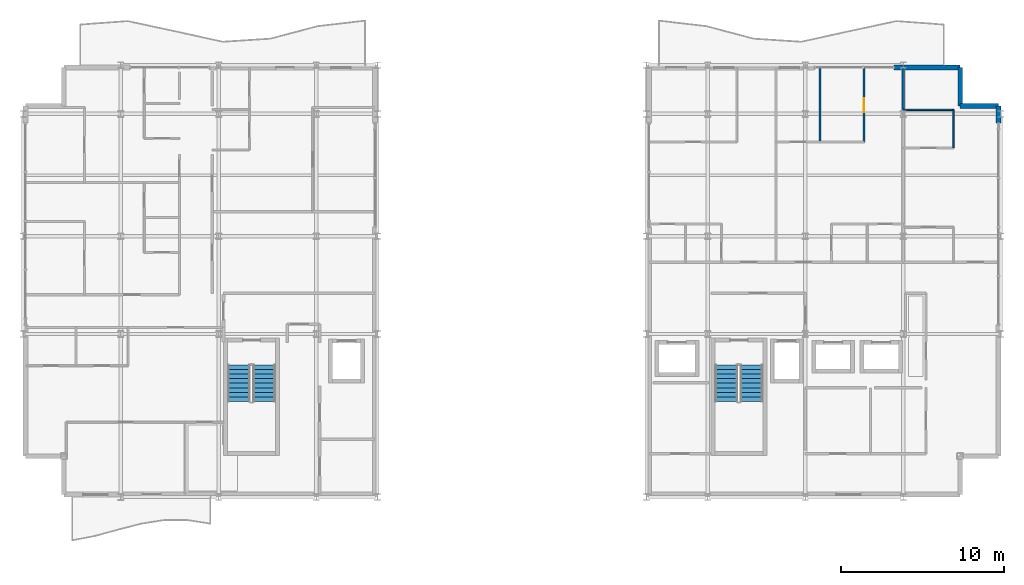
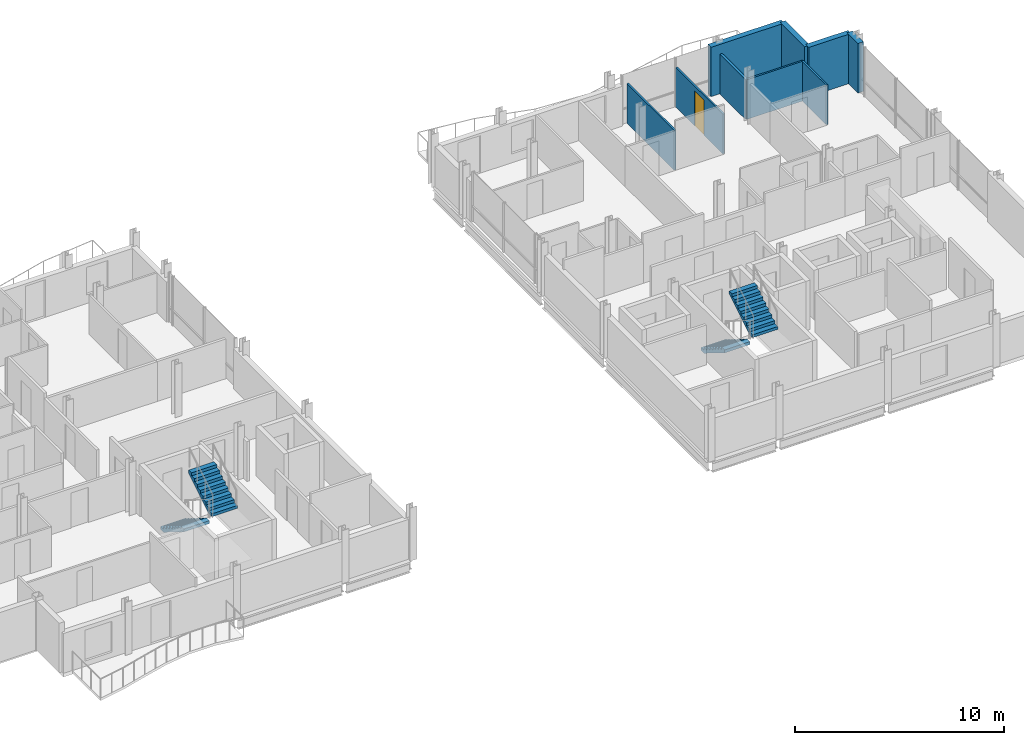
# One storey, part 27 of 29: 9 walls, 4 stair flights, 1 door, 1 opening, 2 elements without a shape of their own.
"""IFC4 building model written with IfcOpenShell, lengths in metres."""

from ifc_helpers import new_model, si_unit, direction, frame, frame_2d, origin, place, context, subcontext, project, spatial, polyline, rectangle, outline, extrude, material, layer, layer_set, type_object, element, fill, aggregate, save


model = new_model("IFC4")

# Units and contexts
model_context = context("Model", 3, precision=1e-05, world=origin(), true_north=direction((0.0, 1.0)))
body_context = subcontext(model_context, "Body", "Model", "MODEL_VIEW")
ifc_project = project(units=[si_unit("LENGTHUNIT", "METRE"), si_unit("AREAUNIT", "SQUARE_METRE"), si_unit("VOLUMEUNIT", "CUBIC_METRE"), si_unit("PLANEANGLEUNIT", "RADIAN"), si_unit("MASSUNIT", "GRAM", prefix="KILO")], contexts=[model_context])

# Site, building, storey
site_placement = place(None, origin())
site = spatial("IfcSite", under=ifc_project, at=site_placement, CompositionType="ELEMENT")
building_placement = place(site_placement, origin())
building = spatial("IfcBuilding", under=site, at=building_placement, Name="Brevholm Reach", CompositionType="ELEMENT")
storey_placement = place(building_placement, frame((0.0, 0.0, 201.800048828125)))
storey = spatial("IfcBuildingStorey", under=building, at=storey_placement, Name="L61", CompositionType="ELEMENT", Elevation=201.800048828125)

# Walls
ifc_material_1 = material(Name="Concrete C40/50", Category="concrete")
ifc_layer_1 = layer(ifc_material_1, 0.300048828125)
ifc_layer_set_1 = layer_set([ifc_layer_1], Name="Concrete C40/50")
wall_type_1 = type_object("IfcWallType", Name="WAL-EXT-300", PredefinedType="STANDARD", material=ifc_layer_set_1)
for number, where, z_axis, x_axis, name in (
    (1, (59.85009765625, 24.0, 0.0), (0.0, 0.0, 1.0), (-1.0, 0.0, 0.0), "L61 Facade Wall WAL-L61-EW-CNE1"),
    (2, (57.5, 24.0, 0.0), (0.0, 0.0, 1.0), (0.0, 1.0, 0.0), "L61 Facade Wall WAL-L61-EW-CNE2"),
):
    element("IfcWall", number, at=place(storey_placement, frame(where, z_axis=z_axis, x_axis=x_axis)), inside=storey, type_object=wall_type_1, Name=name, PredefinedType="STANDARD", context=body_context, shape_type="SweptSolid", body=[
        extrude(rectangle(XDim=2.35009765625, YDim=0.300048828125, at=frame_2d((1.175048828125, 0.0))), origin(), (0.0, 0.0, 1.0), 2.889892578125),
    ])
wall_1_placement = place(storey_placement, frame((59.85009765625, 22.949951171875, 0.0), z_axis=(0.0, 0.0, 1.0), x_axis=(0.0, 1.0, 0.0)))
element("IfcWall", 3, at=wall_1_placement, inside=storey, type_object=wall_type_1, Name="L61 Facade Wall WAL-L61-EW-EN", PredefinedType="STANDARD", context=body_context, shape_type="SweptSolid", body=[
    extrude(rectangle(XDim=1.050048828125, YDim=0.300048828125, at=frame_2d((0.52490234375, 0.0))), origin(), (0.0, 0.0, 1.0), 2.889892578125),
])
wall_2_placement = place(storey_placement, frame((53.449951171875, 26.35009765625, 0.0), z_axis=(0.0, 0.0, 1.0), x_axis=(1.0, 0.0, 0.0)))
element("IfcWall", 4, at=wall_2_placement, inside=storey, type_object=wall_type_1, Name="L61 Facade Wall WAL-L61-EW-NP2", PredefinedType="STANDARD", context=body_context, shape_type="SweptSolid", body=[
    extrude(rectangle(XDim=4.050048828125, YDim=0.300048828125, at=frame_2d((2.02490234375, 0.0))), origin(), (0.0, 0.0, 1.0), 2.889892578125),
])
ifc_material_2 = material(Name="Moisture-Resistant Acoustic Gypsum Stud Partition 100 mm", Category="gypsum")
ifc_layer_2 = layer(ifc_material_2, 0.10009765625)
ifc_layer_set_2 = layer_set([ifc_layer_2], Name="Moisture-Resistant Acoustic Gypsum Stud Partition 100 mm")
wall_type_2 = type_object("IfcWallType", Name="WAL-PRT-100", PredefinedType="PARTITIONING", material=ifc_layer_set_2)
wall_3_placement = place(storey_placement, frame((48.89990234375, 21.778076171875, 0.0), z_axis=(0.0, 0.0, 1.0), x_axis=(0.0, 1.0, 0.0)))
element("IfcWall", 5, at=wall_3_placement, inside=storey, type_object=wall_type_2, Name="L61 Internal Partition 083", PredefinedType="PARTITIONING", context=body_context, shape_type="SweptSolid", body=[
    extrude(rectangle(XDim=4.52197265625, YDim=0.10009765625, at=frame_2d((2.260986328125, 0.0))), origin(), (0.0, 0.0, 1.0), 2.325439453125),
])

# Wall, opening, door
wall_4_placement = place(storey_placement, frame((51.60009765625, 21.778076171875, 0.0), z_axis=(0.0, 0.0, 1.0), x_axis=(0.0, 1.0, 0.0)))
wall_4 = element("IfcWall", 6, at=wall_4_placement, inside=storey, type_object=wall_type_2, Name="L61 Internal Partition 086", PredefinedType="PARTITIONING", context=body_context, shape_type="SweptSolid", body=[
    extrude(rectangle(XDim=4.52197265625, YDim=0.10009765625, at=frame_2d((2.260986328125, 0.0))), origin(), (0.0, 0.0, 1.0), 2.325439453125),
])
opening_placement = place(wall_4_placement, frame((1.821044921875, 0.0, 0.0)))
opening = element("IfcOpeningElement", 7, at=opening_placement, cuts=wall_4, Name="Opening ID-01", PredefinedType="OPENING", context=body_context, shape_type="SweptSolid", body=[
    extrude(rectangle(XDim=0.8798828125, YDim=2.0400390625, at=frame_2d((0.43994140625, 1.02001953125))), frame((0.0, 0.06005859375, 0.0), z_axis=(0.0, -1.0, 0.0), x_axis=(1.0, 0.0, 0.0)), (0.0, 0.0, 1.0), 0.1201171875),
])
ifc_material_3 = material(Name="Lacquered Ash Solid-Core Acoustic Internal Door", Category="timber")
door_type = type_object("IfcDoorType", Name="DOR-INT-880", OperationType="NOTDEFINED", PredefinedType="DOOR", material=ifc_material_3)
door_placement = place(opening_placement, origin())
door = element("IfcDoor", 8, at=door_placement, inside=storey, type_object=door_type, Name="L61 Internal Door 038", OperationType="SINGLE_SWING_LEFT", OverallHeight=2.0400390625, OverallWidth=0.8798828125, PredefinedType="DOOR", context=body_context, shape_type="SweptSolid", body=[
    extrude(rectangle(XDim=0.8798828125, YDim=2.0400390625, at=frame_2d((0.43994140625, 1.02001953125))), frame((0.0, 0.02490234375, 0.0), z_axis=(0.0, -1.0, 0.0), x_axis=(1.0, 0.0, 0.0)), (0.0, 0.0, 1.0), 0.050048828125),
])
fill(opening, door)

# Walls
wall_5_placement = place(storey_placement, frame((57.10009765625, 21.4130859375, 0.0), z_axis=(0.0, 0.0, 1.0), x_axis=(0.0, 1.0, 0.0)))
element("IfcWall", 9, at=wall_5_placement, inside=storey, type_object=wall_type_2, Name="L61 Internal Partition 093", PredefinedType="PARTITIONING", context=body_context, shape_type="SweptSolid", body=[
    extrude(rectangle(XDim=2.3369140625, YDim=0.10009765625, at=frame_2d((1.16845703125, 0.0))), origin(), (0.0, 0.0, 1.0), 2.325439453125),
])
wall_6_placement = place(storey_placement, frame((54.00390625, 23.75, 0.0), z_axis=(0.0, 0.0, 1.0), x_axis=(1.0, 0.0, 0.0)))
element("IfcWall", 10, at=wall_6_placement, inside=storey, type_object=wall_type_2, Name="L61 Internal Partition 094", PredefinedType="PARTITIONING", context=body_context, shape_type="SweptSolid", body=[
    extrude(rectangle(XDim=3.09619140625, YDim=0.10009765625, at=frame_2d((1.548095703125, 0.0))), origin(), (0.0, 0.0, 1.0), 2.325439453125),
])
ifc_material_4 = material(Name="Twin-Stud Acoustic Fire-Rated Gypsum Partition 140 mm", Category="gypsum")
ifc_layer_3 = layer(ifc_material_4, 0.139892578125)
ifc_layer_set_3 = layer_set([ifc_layer_3], Name="Twin-Stud Acoustic Fire-Rated Gypsum Partition 140 mm")
wall_type_3 = type_object("IfcWallType", Name="WAL-PRT-140", PredefinedType="PARTITIONING", material=ifc_layer_set_3)
wall_7_placement = place(storey_placement, frame((54.0, 23.74267578125, 0.0), z_axis=(0.0, 0.0, 1.0), x_axis=(0.0, 1.0, 0.0)))
element("IfcWall", 11, at=wall_7_placement, inside=storey, type_object=wall_type_3, Name="L61 Internal Partition 089", PredefinedType="PARTITIONING", context=body_context, shape_type="SweptSolid", body=[
    extrude(rectangle(XDim=2.557373046875, YDim=0.139892578125, at=frame_2d((1.27880859375, 0.0))), origin(), (0.0, 0.0, 1.0), 2.325439453125),
])

# Stair, stair flights
ifc_material_5 = material(Name="Precast Concrete C40/50", Category="concrete")
stair_type = type_object("IfcStairType", Name="STR-ESC-1400", PredefinedType="DOUBLE_RETURN_STAIR", material=ifc_material_5)
stair_1_placement = place(storey_placement, origin())
stair_1 = element("IfcStair", 12, at=stair_1_placement, inside=storey, type_object=stair_type, Name="L61 ST-1", PredefinedType="DOUBLE_RETURN_STAIR")
ifc_material_6 = material(Name="Precast Concrete C40/50", Category="concrete")
ifc_layer_4 = layer(ifc_material_6, 0.18505859375)
ifc_layer_set_4 = layer_set([ifc_layer_4], Name="Precast Concrete C40/50")
stair_flight_type = type_object("IfcStairFlightType", Name="STF-PRC-185", PredefinedType="STRAIGHT", material=ifc_layer_set_4)
stair_flight_1_placement = place(storey_placement, frame((13.25, 8.10009765625, 0.0), z_axis=(0.0, 0.0, 1.0), x_axis=(0.0, -1.0, 0.0)))
stair_flight_1 = element("IfcStairFlight", 13, at=stair_flight_1_placement, type_object=stair_flight_type, Name="ST-1 flight 1", NumberOfRisers=9, NumberOfTreads=8, PredefinedType="STRAIGHT", RiserHeight=0.172222222, TreadLength=0.28, context=body_context, shape_type="SweptSolid", body=[
    extrude(outline(polyline([(0.0, 0.0), (0.0, 0.172119140625), (0.280029296875, 0.172119140625), (0.280029296875, 0.344482421875), (0.56005859375, 0.344482421875), (0.56005859375, 0.5166015625), (0.840087890625, 0.5166015625), (0.840087890625, 0.68896484375), (1.1201171875, 0.68896484375), (1.1201171875, 0.861083984375), (1.39990234375, 0.861083984375), (1.39990234375, 1.033447265625), (1.679931640625, 1.033447265625), (1.679931640625, 1.20556640625), (1.9599609375, 1.20556640625), (1.9599609375, 1.377685546875), (2.239990234375, 1.377685546875), (2.239990234375, 1.550048828125), (2.239990234375, 1.201904296875), (0.2861328125, 0.0), (0.0, 0.0)])), frame((0.0, 0.699951171875, 0.0), z_axis=(0.0, -1.0, 0.0), x_axis=(1.0, 0.0, 0.0)), (0.0, 0.0, 1.0), 1.39990234375),
])
stair_flight_2_placement = place(storey_placement, frame((14.800048828125, 5.860107421875, 1.550048828125), z_axis=(0.0, 0.0, 1.0), x_axis=(0.0, 1.0, 0.0)))
stair_flight_2 = element("IfcStairFlight", 14, at=stair_flight_2_placement, type_object=stair_flight_type, Name="ST-1 flight 2", NumberOfRisers=9, NumberOfTreads=8, PredefinedType="STRAIGHT", RiserHeight=0.172222222, TreadLength=0.28, context=body_context, shape_type="SweptSolid", body=[
    extrude(outline(polyline([(0.0, 0.0), (0.0, 0.172119140625), (0.280029296875, 0.172119140625), (0.280029296875, 0.344482421875), (0.56005859375, 0.344482421875), (0.56005859375, 0.5166015625), (0.840087890625, 0.5166015625), (0.840087890625, 0.68896484375), (1.1201171875, 0.68896484375), (1.1201171875, 0.861083984375), (1.39990234375, 0.861083984375), (1.39990234375, 1.033447265625), (1.679931640625, 1.033447265625), (1.679931640625, 1.20556640625), (1.9599609375, 1.20556640625), (1.9599609375, 1.377685546875), (2.239990234375, 1.377685546875), (2.239990234375, 1.550048828125), (2.239990234375, 1.201904296875), (0.2861328125, 0.0), (0.0, 0.0)])), frame((0.0, 0.699951171875, 0.0), z_axis=(0.0, -1.0, 0.0), x_axis=(1.0, 0.0, 0.0)), (0.0, 0.0, 1.0), 1.39990234375),
])
aggregate(stair_1, [stair_flight_1, stair_flight_2])

stair_2_placement = place(storey_placement, origin())
stair_2 = element("IfcStair", 15, at=stair_2_placement, inside=storey, type_object=stair_type, Name="L61 ST-2", PredefinedType="DOUBLE_RETURN_STAIR")
stair_flight_3_placement = place(storey_placement, frame((43.14990234375, 8.10009765625, 0.0), z_axis=(0.0, 0.0, 1.0), x_axis=(0.0, -1.0, 0.0)))
stair_flight_3 = element("IfcStairFlight", 16, at=stair_flight_3_placement, type_object=stair_flight_type, Name="ST-2 flight 1", NumberOfRisers=9, NumberOfTreads=8, PredefinedType="STRAIGHT", RiserHeight=0.172222222, TreadLength=0.28, context=body_context, shape_type="SweptSolid", body=[
    extrude(outline(polyline([(0.0, 0.0), (0.0, 0.172119140625), (0.280029296875, 0.172119140625), (0.280029296875, 0.344482421875), (0.56005859375, 0.344482421875), (0.56005859375, 0.5166015625), (0.840087890625, 0.5166015625), (0.840087890625, 0.68896484375), (1.1201171875, 0.68896484375), (1.1201171875, 0.861083984375), (1.39990234375, 0.861083984375), (1.39990234375, 1.033447265625), (1.679931640625, 1.033447265625), (1.679931640625, 1.20556640625), (1.9599609375, 1.20556640625), (1.9599609375, 1.377685546875), (2.239990234375, 1.377685546875), (2.239990234375, 1.550048828125), (2.239990234375, 1.201904296875), (0.2861328125, 0.0), (0.0, 0.0)])), frame((0.0, 0.699951171875, 0.0), z_axis=(0.0, -1.0, 0.0), x_axis=(1.0, 0.0, 0.0)), (0.0, 0.0, 1.0), 1.39990234375),
])
stair_flight_4_placement = place(storey_placement, frame((44.699951171875, 5.860107421875, 1.550048828125), z_axis=(0.0, 0.0, 1.0), x_axis=(0.0, 1.0, 0.0)))
stair_flight_4 = element("IfcStairFlight", 17, at=stair_flight_4_placement, type_object=stair_flight_type, Name="ST-2 flight 2", NumberOfRisers=9, NumberOfTreads=8, PredefinedType="STRAIGHT", RiserHeight=0.172222222, TreadLength=0.28, context=body_context, shape_type="SweptSolid", body=[
    extrude(outline(polyline([(0.0, 0.0), (0.0, 0.172119140625), (0.280029296875, 0.172119140625), (0.280029296875, 0.344482421875), (0.56005859375, 0.344482421875), (0.56005859375, 0.5166015625), (0.840087890625, 0.5166015625), (0.840087890625, 0.68896484375), (1.1201171875, 0.68896484375), (1.1201171875, 0.861083984375), (1.39990234375, 0.861083984375), (1.39990234375, 1.033447265625), (1.679931640625, 1.033447265625), (1.679931640625, 1.20556640625), (1.9599609375, 1.20556640625), (1.9599609375, 1.377685546875), (2.239990234375, 1.377685546875), (2.239990234375, 1.550048828125), (2.239990234375, 1.201904296875), (0.2861328125, 0.0), (0.0, 0.0)])), frame((0.0, 0.699951171875, 0.0), z_axis=(0.0, -1.0, 0.0), x_axis=(1.0, 0.0, 0.0)), (0.0, 0.0, 1.0), 1.39990234375),
])
aggregate(stair_2, [stair_flight_3, stair_flight_4])

save(model, "model.ifc")
